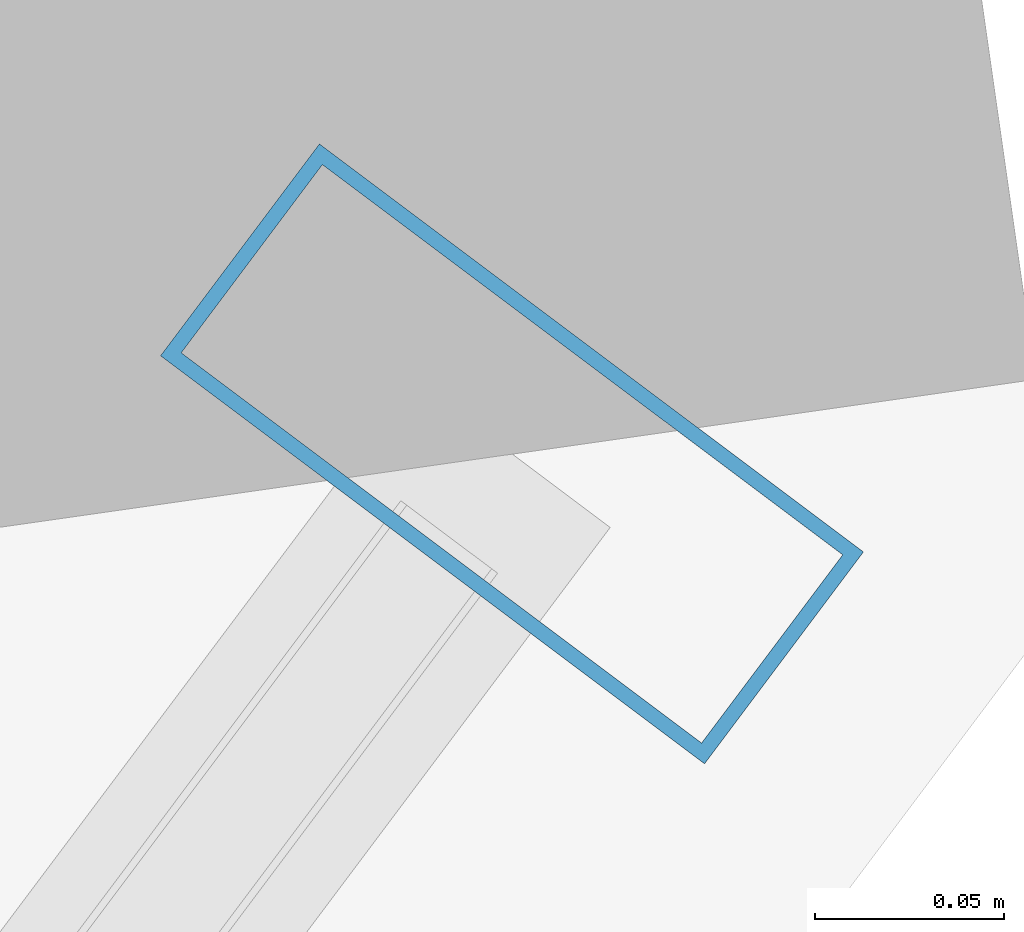
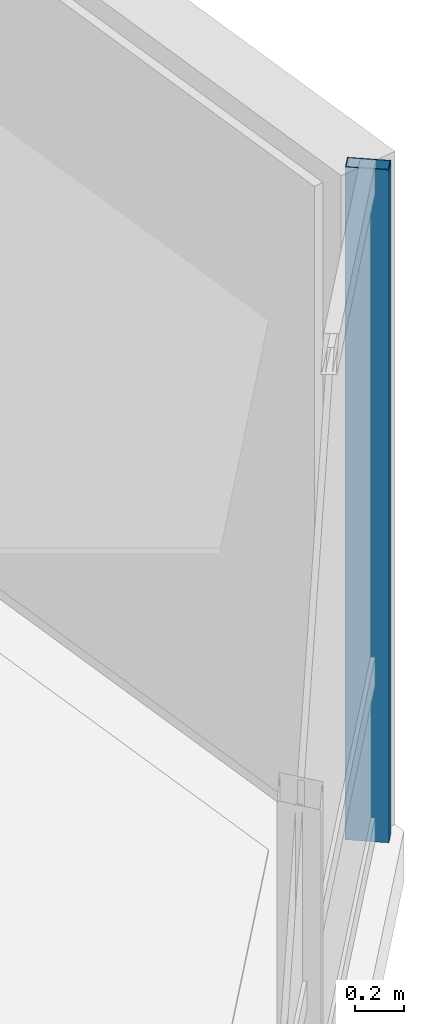
# One storey, part 16 of 28: 1 member, 1 element without a shape of its own.
"""IFC4 building model written with IfcOpenShell, lengths in metres."""

from ifc_helpers import new_model, si_unit, direction, frame, origin, origin_2d, place, context, subcontext, project, spatial, hollow_rectangle, extrude, material, layer, layer_set, material_profile, profile_set, type_object, element, aggregate, save


model = new_model("IFC4")

# Units and contexts
model_context = context("Model", 3, precision=1e-05, world=origin(), true_north=direction((0.0, 1.0)))
body_context = subcontext(model_context, "Body", "Model", "MODEL_VIEW")
ifc_project = project(units=[si_unit("LENGTHUNIT", "METRE"), si_unit("AREAUNIT", "SQUARE_METRE"), si_unit("VOLUMEUNIT", "CUBIC_METRE"), si_unit("PLANEANGLEUNIT", "RADIAN"), si_unit("MASSUNIT", "GRAM", prefix="KILO")], contexts=[model_context])

# Site, building, storey
site_placement = place(None, origin())
site = spatial("IfcSite", under=ifc_project, at=site_placement, CompositionType="ELEMENT")
building_placement = place(site_placement, origin())
building = spatial("IfcBuilding", under=site, at=building_placement, Name="Hatsunagi Terrace Concourse", CompositionType="ELEMENT")
storey_placement = place(building_placement, frame((0.0, 0.0, 170.85009765625)))
storey = spatial("IfcBuildingStorey", under=building, at=storey_placement, Name="L45", CompositionType="ELEMENT", Elevation=170.85009765625)

# Curtain wall, member
ifc_material_1 = material(Name="Anodised Aluminium Alloy 6063-T5", Category="aluminium")
ifc_layer = layer(ifc_material_1, 0.199951171875)
ifc_layer_set = layer_set([ifc_layer], Name="OfficeZone1_CW03")
curtain_wall_type = type_object("IfcCurtainWallType", Name="OfficeZone1_CW03", PredefinedType="NOTDEFINED", material=ifc_layer_set)
curtain_wall_placement = place(storey_placement, origin())
curtain_wall = element("IfcCurtainWall", 1, at=curtain_wall_placement, inside=storey, type_object=curtain_wall_type, Name="Unitised Curtain Wall CW-03 CW-L45-03", PredefinedType="NOTDEFINED")
ifc_material_2 = material(Name="Anodised Aluminium Alloy 6063-T5", Category="aluminium")
ifc_material_profile = material_profile(ifc_material_2, hollow_rectangle(XDim=0.070068359375, YDim=0.179931640625, WallThickness=0.00390625, at=origin_2d()), Name="ALU-MUL-180x70x4")
ifc_profile_set = profile_set([ifc_material_profile], Name="Anodised Aluminium Alloy 6063-T5")
member_type = type_object("IfcMemberType", Name="CurtainWallMullion_180x70", PredefinedType="MULLION", material=ifc_profile_set)
member_placement = place(storey_placement, frame((60.693115234375, 25.9580078125, 0.0), z_axis=(0.0, 0.0, 1.0), x_axis=(-0.599969314634, -0.800023013105, 0.0)))
member = element("IfcMember", 2, at=member_placement, type_object=member_type, Name="Curtain Wall Mullion MUL-02", PredefinedType="MULLION", context=body_context, shape_type="SweptSolid", body=[
    extrude(hollow_rectangle(XDim=0.070068359375, YDim=0.179931640625, WallThickness=0.00390625, at=origin_2d()), origin(), (0.0, 0.0, 1.0), 3.349853515625),
])
aggregate(curtain_wall, [member])

save(model, "model.ifc")
